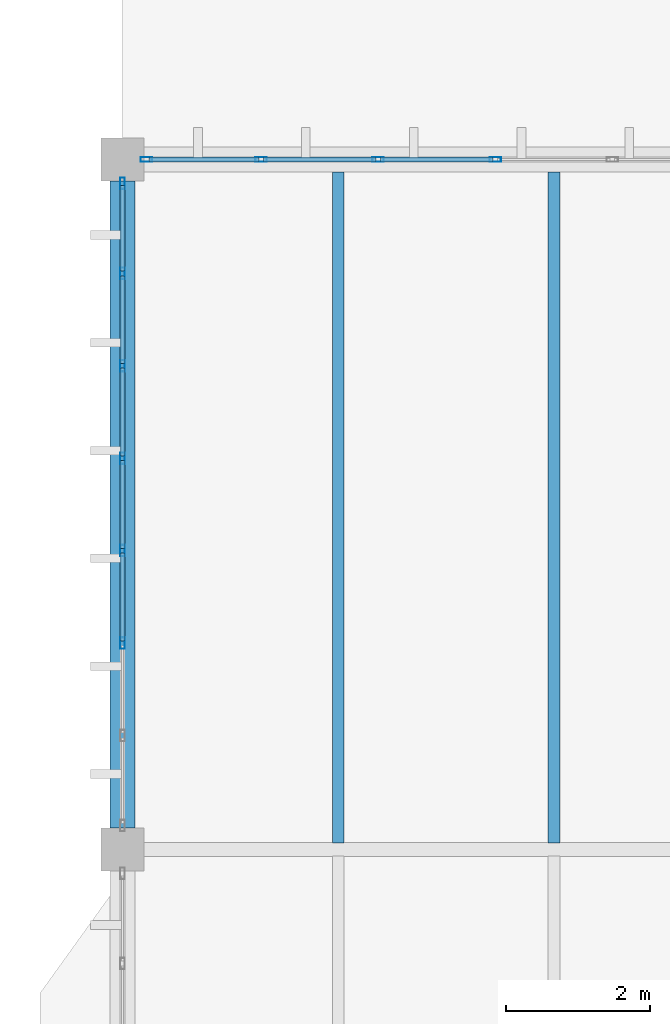
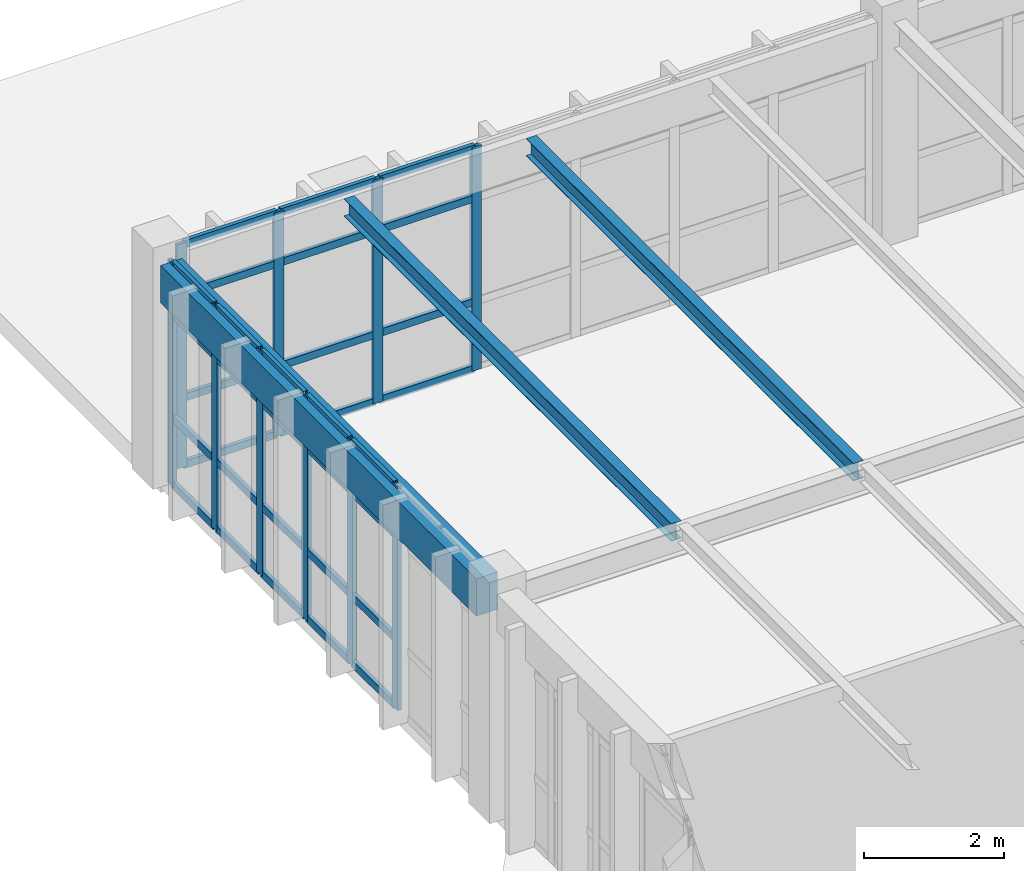
# One storey, part 47 of 83: 42 members, 3 beams, 2 elements without a shape of their own.
"""IFC4 building model written with IfcOpenShell, lengths in metres."""

import ifcopenshell
import ifcopenshell.guid

model = None  # the IFC model being written
_history = None  # IfcOwnerHistory: only IFC2X3 demands one
_inside = {}  # id of a spatial element -> (the spatial element, [elements in it])
_under = {}  # id of a project, library or spatial element -> (it, [spatial elements below it])
_declared = {}  # id of a project -> (the project, [libraries it declares])
_typed = {}  # id of a type object -> (the type object, [elements of that type])
_made_of = {}  # id of a material, layer set ... -> (it, [elements and type objects made of it])


def new_model(schema):
    """Start an empty IFC model of exactly this schema.

    Asked for "IFC4X3", IfcOpenShell would pick the latest addendum, in which some entities
    have other attributes; the version numbers below select the first issue.
    IFC2X3 requires an IfcOwnerHistory on every rooted entity: one is made here for all.
    """
    global model, _history
    if schema == "IFC4X3":
        model = ifcopenshell.file(schema_version=(4, 3, 0, 0))
    else:
        model = ifcopenshell.file(schema=schema)
    _inside.clear()
    _under.clear()
    _declared.clear()
    _typed.clear()
    _made_of.clear()
    _history = None
    if model.schema == "IFC2X3":
        org = make("IfcOrganization", Name="unknown")
        user = make(
            "IfcPersonAndOrganization",
            ThePerson=make("IfcPerson", FamilyName="unknown"),
            TheOrganization=org,
        )
        app = make(
            "IfcApplication",
            ApplicationDeveloper=org,
            Version="unknown",
            ApplicationFullName="unknown",
            ApplicationIdentifier="unknown",
        )
        _history = make(
            "IfcOwnerHistory",
            OwningUser=user,
            OwningApplication=app,
            ChangeAction="ADDED",
            CreationDate=0,
        )
    return model


def make(cls, **values):
    """One entity of the class cls with the attributes given. An attribute that is None is left unset."""
    return model.create_entity(
        cls, **{name: value for name, value in values.items() if value is not None}
    )


def rooted(cls, **values):
    """An entity with a GlobalId (a new one), such as an element, a storey or a relation."""
    return make(cls, GlobalId=ifcopenshell.guid.new(), OwnerHistory=_history, **values)


def si_unit(unit_type, name, prefix=None):
    """IfcSIUnit, for example si_unit("LENGTHUNIT", "METRE", prefix="MILLI")."""
    return make("IfcSIUnit", UnitType=unit_type, Prefix=prefix, Name=name)


def assignment(units):
    """IfcUnitAssignment: the units of a project."""
    return None if units is None else make("IfcUnitAssignment", Units=units)


def point(xyz):
    """IfcCartesianPoint."""
    return None if xyz is None else make("IfcCartesianPoint", Coordinates=xyz)


def direction(xyz):
    """IfcDirection."""
    return None if xyz is None else make("IfcDirection", DirectionRatios=xyz)


def frame(location, z_axis=None, x_axis=None):
    """IfcAxis2Placement3D, a coordinate frame: its origin and axes. An axis left out is left unset."""
    return make(
        "IfcAxis2Placement3D",
        Location=point(location),
        Axis=direction(z_axis),
        RefDirection=direction(x_axis),
    )


def frame_2d(location, x_axis=None):
    """IfcAxis2Placement2D, a coordinate frame in the plane: its origin and x axis."""
    return make(
        "IfcAxis2Placement2D", Location=point(location), RefDirection=direction(x_axis)
    )


def origin():
    """The frame at (0, 0, 0) with its axes left unset."""
    return frame((0.0, 0.0, 0.0))


def origin_2d():
    """The frame at (0, 0) in the plane with its x axis left unset."""
    return frame_2d((0.0, 0.0))


def place(relative_to, where):
    """IfcLocalPlacement: puts the frame where relative to a parent placement (None: the world)."""
    return make(
        "IfcLocalPlacement", PlacementRelTo=relative_to, RelativePlacement=where
    )


def context(
    kind, dimensions, precision=None, world=None, true_north=None, identifier=None
):
    """IfcGeometricRepresentationContext, for example the 3D "Model" context."""
    return make(
        "IfcGeometricRepresentationContext",
        ContextIdentifier=identifier,
        ContextType=kind,
        CoordinateSpaceDimension=dimensions,
        Precision=precision,
        WorldCoordinateSystem=world,
        TrueNorth=true_north,
    )


def subcontext(parent, identifier, kind, view, scale=None):
    """IfcGeometricRepresentationSubContext, for example "Body" below "Model"."""
    return make(
        "IfcGeometricRepresentationSubContext",
        ContextIdentifier=identifier,
        ContextType=kind,
        ParentContext=parent,
        TargetScale=scale,
        TargetView=view,
    )


def project(units=None, contexts=None):
    """IfcProject with its units and contexts."""
    return rooted(
        "IfcProject",
        Name="project",
        RepresentationContexts=contexts,
        UnitsInContext=assignment(units),
    )


def spatial(cls, under=None, at=None, **own):
    """A site, building, storey or space (cls), placed at a placement, below another one or the project."""
    s = rooted(cls, ObjectPlacement=at, **own)
    if under is not None:
        _under.setdefault(under.id(), (under, []))[1].append(s)
    return s


def profile(cls, at=None, kind="AREA", **sizes):
    """A parametric profile (cls). Its sizes go by their IFC names, for example OverallWidth=200.0."""
    return make(cls, ProfileType=kind, Position=at, **sizes)


def rectangle(**sizes):
    """IfcRectangleProfileDef."""
    return profile("IfcRectangleProfileDef", **sizes)


def hollow_rectangle(**sizes):
    """IfcRectangleHollowProfileDef."""
    return profile("IfcRectangleHollowProfileDef", **sizes)


def i_section(**sizes):
    """IfcIShapeProfileDef."""
    return profile("IfcIShapeProfileDef", **sizes)


def extrude(swept, where, along, depth):
    """IfcExtrudedAreaSolid: the profile swept, set in the frame where, extruded along a direction by depth."""
    return make(
        "IfcExtrudedAreaSolid",
        SweptArea=swept,
        Position=where,
        ExtrudedDirection=direction(along),
        Depth=depth,
    )


def shape(context_of_items, identifier, shape_type, items):
    """IfcShapeRepresentation: the items that make up one representation, for example the "Body"."""
    return make(
        "IfcShapeRepresentation",
        ContextOfItems=context_of_items,
        RepresentationIdentifier=identifier,
        RepresentationType=shape_type,
        Items=items,
    )


def material(Name=None, Category=None):
    """IfcMaterial."""
    return make("IfcMaterial", Name=Name, Category=Category)


def layer(
    of_material, thickness, ventilated=None, Name=None, Category=None, Priority=None
):
    """IfcMaterialLayer: one layer of a wall or slab, of a material (None: an air gap)."""
    return make(
        "IfcMaterialLayer",
        Material=of_material,
        LayerThickness=thickness,
        IsVentilated=ventilated,
        Name=Name,
        Category=Category,
        Priority=Priority,
    )


def layer_set(layers, Name=None):
    """IfcMaterialLayerSet."""
    return make("IfcMaterialLayerSet", MaterialLayers=layers, LayerSetName=Name)


def material_profile(
    of_material, cross_section, Name=None, Category=None, Priority=None
):
    """IfcMaterialProfile: a cross section and its material."""
    return make(
        "IfcMaterialProfile",
        Name=Name,
        Material=of_material,
        Profile=cross_section,
        Priority=Priority,
        Category=Category,
    )


def profile_set(profiles, Name=None, composite=None):
    """IfcMaterialProfileSet."""
    return make(
        "IfcMaterialProfileSet",
        Name=Name,
        MaterialProfiles=profiles,
        CompositeProfile=composite,
    )


def made_of(thing, what):
    """Note that an element or type object is made of a material, layer set ...; save() writes the relation."""
    if what is not None:
        _made_of.setdefault(what.id(), (what, []))[1].append(thing)
    return thing


def type_object(cls, material=None, **own):
    """A type object (cls), such as IfcWallType, which elements share."""
    return made_of(rooted(cls, **own), material)


def element(
    cls,
    number,
    at=None,
    inside=None,
    cuts=None,
    type_object=None,
    material=None,
    context=None,
    identifier="Body",
    shape_type=None,
    held_by="IfcProductDefinitionShape",
    body=None,
    shapes=None,
    **own,
):
    """One element of the class cls, such as IfcWall. Its Tag is "e" and its number.

    at: its placement. inside: the storey or other place that contains it. cuts: it is an
    opening in that element (IfcRelVoidsElement). A single representation is given by context,
    identifier, shape_type and body (its items); several are given by shapes. held_by: the class
    of the entity that holds the representations. save() writes the other relations.
    """
    e = rooted(cls, Tag="e%d" % number, ObjectPlacement=at, **own)
    if body is not None:
        shapes = [shape(context, identifier, shape_type, body)]
    if shapes is not None:
        e.Representation = make(held_by, Representations=shapes)
    if inside is not None:
        _inside.setdefault(inside.id(), (inside, []))[1].append(e)
    if cuts is not None:
        rooted(
            "IfcRelVoidsElement", RelatingBuildingElement=cuts, RelatedOpeningElement=e
        )
    if type_object is not None:
        _typed.setdefault(type_object.id(), (type_object, []))[1].append(e)
    return made_of(e, material)


def aggregate(whole, parts):
    """IfcRelAggregates: a whole, such as a stair, and the parts it consists of."""
    return rooted("IfcRelAggregates", RelatingObject=whole, RelatedObjects=parts)


def save(model, path):
    """Write the relations noted so far, then the file.

    IfcRelAggregates (storeys below a building ...), IfcRelContainedInSpatialStructure (elements
    in a storey), IfcRelDefinesByType, IfcRelAssociatesMaterial and IfcRelDeclares: one each for
    every whole, place, type object, material and project.
    """
    for whole, parts in _under.values():
        aggregate(whole, parts)
    for where, things in _inside.values():
        rooted(
            "IfcRelContainedInSpatialStructure",
            RelatedElements=things,
            RelatingStructure=where,
        )
    for kind, things in _typed.values():
        rooted("IfcRelDefinesByType", RelatedObjects=things, RelatingType=kind)
    for what, things in _made_of.values():
        rooted("IfcRelAssociatesMaterial", RelatedObjects=things, RelatingMaterial=what)
    for by, libraries in _declared.values():
        rooted("IfcRelDeclares", RelatingContext=by, RelatedDefinitions=libraries)
    model.write(path)


model = new_model("IFC4")

# Units and contexts
model_context = context("Model", 3, precision=1e-05, world=origin(), true_north=direction((0.0, 1.0)))
body_context = subcontext(model_context, "Body", "Model", "MODEL_VIEW")
ifc_project = project(units=[si_unit("LENGTHUNIT", "METRE"), si_unit("AREAUNIT", "SQUARE_METRE"), si_unit("VOLUMEUNIT", "CUBIC_METRE"), si_unit("PLANEANGLEUNIT", "RADIAN"), si_unit("MASSUNIT", "GRAM", prefix="KILO")], contexts=[model_context])

# Site, building, storey
site_placement = place(None, origin())
site = spatial("IfcSite", under=ifc_project, at=site_placement, CompositionType="ELEMENT")
building_placement = place(site_placement, origin())
building = spatial("IfcBuilding", under=site, at=building_placement, Name="Pandanus Reach Market Hall", CompositionType="ELEMENT")
storey_placement = place(building_placement, frame((0.0, 0.0, 10.199951171875)))
storey = spatial("IfcBuildingStorey", under=building, at=storey_placement, Name="L02", CompositionType="ELEMENT", Elevation=10.199951171875)

# Beam
ifc_material_1 = material(Name="Concrete N40 (40 MPa)", Category="concrete")
ifc_material_profile_1 = material_profile(ifc_material_1, rectangle(XDim=0.35009765625, YDim=0.64990234375, at=origin_2d()), Name="RC350x650", Category="LoadBearing")
ifc_profile_set_1 = profile_set([ifc_material_profile_1], Name="Concrete N40 (40 MPa)")
beam_type_1 = type_object("IfcBeamType", Name="BM-RC350-E", PredefinedType="SPANDREL", material=ifc_profile_set_1)
beam_placement = place(storey_placement, frame((144.0, 77.097900390625, 3.53515625), z_axis=(0.0, 1.0, 0.0), x_axis=(-1.0, 0.0, 0.0)))
element("IfcBeam", 1, at=beam_placement, inside=storey, type_object=beam_type_1, Name="Framing beam BM-RC350-E L02.467", PredefinedType="SPANDREL", context=body_context, shape_type="SweptSolid", body=[
    extrude(rectangle(XDim=0.35009765625, YDim=0.64990234375, at=origin_2d()), origin(), (0.0, 0.0, 1.0), 9.004150390625),
])

# Curtain wall, members
ifc_material_2 = material(Name="Bronze anodised aluminium and low-E glass", Category="aluminium")
ifc_layer_1 = layer(ifc_material_2, 0.159912109375, Name="CW-31")
ifc_layer_set_1 = layer_set([ifc_layer_1], Name="Bronze anodised aluminium and low-E glass")
curtain_wall_type_1 = type_object("IfcCurtainWallType", Name="CW-31", PredefinedType="NOTDEFINED", material=ifc_layer_set_1)
curtain_wall_1_placement = place(storey_placement, origin())
curtain_wall_1 = element("IfcCurtainWall", 2, at=curtain_wall_1_placement, inside=storey, type_object=curtain_wall_type_1, Name="Glazed curtain wall CW-31 CW-0102", PredefinedType="NOTDEFINED")
ifc_material_3 = material(Name="Bronze anodised aluminium", Category="aluminium")
ifc_material_profile_2 = material_profile(ifc_material_3, hollow_rectangle(XDim=0.06494140625, YDim=0.159912109375, WallThickness=0.00390625, at=origin_2d()), Name="ALU65x160", Category="LoadBearing")
ifc_profile_set_2 = profile_set([ifc_material_profile_2], Name="Bronze anodised aluminium")
member_type_1 = type_object("IfcMemberType", Name="CW-M1", PredefinedType="MULLION", material=ifc_profile_set_2)
member_1_placement = place(storey_placement, frame((144.33251953125, 86.39990234375, 0.0), z_axis=(0.0, 0.0, 1.0), x_axis=(0.0, 1.0, 0.0)))
member_1 = element("IfcMember", 3, at=member_1_placement, type_object=member_type_1, Name="CW-31 mullion 1", PredefinedType="MULLION", context=body_context, shape_type="SweptSolid", body=[
    extrude(hollow_rectangle(XDim=0.06494140625, YDim=0.159912109375, WallThickness=0.00390625, at=origin_2d()), origin(), (0.0, 0.0, 1.0), 3.900146484375),
])
member_2_placement = place(storey_placement, frame((145.928466796875, 86.39990234375, 0.0), z_axis=(0.0, 0.0, 1.0), x_axis=(0.0, 1.0, 0.0)))
member_2 = element("IfcMember", 4, at=member_2_placement, type_object=member_type_1, Name="CW-31 mullion 2", PredefinedType="MULLION", context=body_context, shape_type="SweptSolid", body=[
    extrude(hollow_rectangle(XDim=0.06494140625, YDim=0.159912109375, WallThickness=0.00390625, at=origin_2d()), origin(), (0.0, 0.0, 1.0), 3.900146484375),
])
member_3_placement = place(storey_placement, frame((147.55712890625, 86.39990234375, 0.0), z_axis=(0.0, 0.0, 1.0), x_axis=(0.0, 1.0, 0.0)))
member_3 = element("IfcMember", 5, at=member_3_placement, type_object=member_type_1, Name="CW-31 mullion 3", PredefinedType="MULLION", context=body_context, shape_type="SweptSolid", body=[
    extrude(hollow_rectangle(XDim=0.06494140625, YDim=0.159912109375, WallThickness=0.00390625, at=origin_2d()), origin(), (0.0, 0.0, 1.0), 3.900146484375),
])
member_4_placement = place(storey_placement, frame((149.185791015625, 86.39990234375, 0.0), z_axis=(0.0, 0.0, 1.0), x_axis=(0.0, 1.0, 0.0)))
member_4 = element("IfcMember", 6, at=member_4_placement, type_object=member_type_1, Name="CW-31 mullion 4", PredefinedType="MULLION", context=body_context, shape_type="SweptSolid", body=[
    extrude(hollow_rectangle(XDim=0.06494140625, YDim=0.159912109375, WallThickness=0.00390625, at=origin_2d()), origin(), (0.0, 0.0, 1.0), 3.900146484375),
])

ifc_layer_2 = layer(ifc_material_2, 0.159912109375, Name="CW-33")
ifc_layer_set_2 = layer_set([ifc_layer_2], Name="Bronze anodised aluminium and low-E glass")
curtain_wall_type_2 = type_object("IfcCurtainWallType", Name="CW-33", PredefinedType="NOTDEFINED", material=ifc_layer_set_2)
curtain_wall_2_placement = place(storey_placement, origin())
curtain_wall_2 = element("IfcCurtainWall", 7, at=curtain_wall_2_placement, inside=storey, type_object=curtain_wall_type_2, Name="Glazed curtain wall CW-33 CW-0115", PredefinedType="NOTDEFINED")
member_5_placement = place(storey_placement, frame((144.0, 79.67138671875, 0.0), z_axis=(0.0, 0.0, 1.0), x_axis=(-1.0, 0.0, 0.0)))
member_5 = element("IfcMember", 8, at=member_5_placement, type_object=member_type_1, Name="CW-33 mullion 3", PredefinedType="MULLION", context=body_context, shape_type="SweptSolid", body=[
    extrude(hollow_rectangle(XDim=0.06494140625, YDim=0.159912109375, WallThickness=0.00390625, at=origin_2d()), origin(), (0.0, 0.0, 1.0), 3.900146484375),
])
member_6_placement = place(storey_placement, frame((144.0, 80.95703125, 0.0), z_axis=(0.0, 0.0, 1.0), x_axis=(-1.0, 0.0, 0.0)))
member_6 = element("IfcMember", 9, at=member_6_placement, type_object=member_type_1, Name="CW-33 mullion 4", PredefinedType="MULLION", context=body_context, shape_type="SweptSolid", body=[
    extrude(hollow_rectangle(XDim=0.06494140625, YDim=0.159912109375, WallThickness=0.00390625, at=origin_2d()), origin(), (0.0, 0.0, 1.0), 3.900146484375),
])
member_7_placement = place(storey_placement, frame((144.0, 82.242919921875, 0.0), z_axis=(0.0, 0.0, 1.0), x_axis=(-1.0, 0.0, 0.0)))
member_7 = element("IfcMember", 10, at=member_7_placement, type_object=member_type_1, Name="CW-33 mullion 5", PredefinedType="MULLION", context=body_context, shape_type="SweptSolid", body=[
    extrude(hollow_rectangle(XDim=0.06494140625, YDim=0.159912109375, WallThickness=0.00390625, at=origin_2d()), origin(), (0.0, 0.0, 1.0), 3.900146484375),
])
member_8_placement = place(storey_placement, frame((144.0, 83.528564453125, 0.0), z_axis=(0.0, 0.0, 1.0), x_axis=(-1.0, 0.0, 0.0)))
member_8 = element("IfcMember", 11, at=member_8_placement, type_object=member_type_1, Name="CW-33 mullion 6", PredefinedType="MULLION", context=body_context, shape_type="SweptSolid", body=[
    extrude(hollow_rectangle(XDim=0.06494140625, YDim=0.159912109375, WallThickness=0.00390625, at=origin_2d()), origin(), (0.0, 0.0, 1.0), 3.900146484375),
])
member_9_placement = place(storey_placement, frame((144.0, 84.814208984375, 0.0), z_axis=(0.0, 0.0, 1.0), x_axis=(-1.0, 0.0, 0.0)))
member_9 = element("IfcMember", 12, at=member_9_placement, type_object=member_type_1, Name="CW-33 mullion 7", PredefinedType="MULLION", context=body_context, shape_type="SweptSolid", body=[
    extrude(hollow_rectangle(XDim=0.06494140625, YDim=0.159912109375, WallThickness=0.00390625, at=origin_2d()), origin(), (0.0, 0.0, 1.0), 3.900146484375),
])
member_10_placement = place(storey_placement, frame((144.0, 86.0673828125, 0.0), z_axis=(0.0, 0.0, 1.0), x_axis=(-1.0, 0.0, 0.0)))
member_10 = element("IfcMember", 13, at=member_10_placement, type_object=member_type_1, Name="CW-33 mullion 8", PredefinedType="MULLION", context=body_context, shape_type="SweptSolid", body=[
    extrude(hollow_rectangle(XDim=0.06494140625, YDim=0.159912109375, WallThickness=0.00390625, at=origin_2d()), origin(), (0.0, 0.0, 1.0), 3.900146484375),
])

# Member
ifc_material_profile_3 = material_profile(ifc_material_3, hollow_rectangle(XDim=0.06494140625, YDim=0.1298828125, WallThickness=0.00390625, at=origin_2d()), Name="ALU65x130", Category="LoadBearing")
ifc_profile_set_3 = profile_set([ifc_material_profile_3], Name="Bronze anodised aluminium")
member_type_2 = type_object("IfcMemberType", Name="CW-T1", PredefinedType="USERDEFINED", material=ifc_profile_set_3)
member_11_placement = place(storey_placement, frame((144.364990234375, 86.39990234375, 0.032470703125), z_axis=(1.0, 0.0, 0.0), x_axis=(0.0, 1.0, 0.0)))
member_11 = element("IfcMember", 14, at=member_11_placement, type_object=member_type_2, Name="CW-31 transom 1.1", ObjectType="TRANSOM", PredefinedType="USERDEFINED", context=body_context, shape_type="SweptSolid", body=[
    extrude(hollow_rectangle(XDim=0.06494140625, YDim=0.1298828125, WallThickness=0.00390625, at=origin_2d()), origin(), (0.0, 0.0, 1.0), 1.531005859375),
])

member_12_placement = place(storey_placement, frame((144.364990234375, 86.39990234375, 1.199951171875), z_axis=(1.0, 0.0, 0.0), x_axis=(0.0, 1.0, 0.0)))
member_12 = element("IfcMember", 15, at=member_12_placement, type_object=member_type_2, Name="CW-31 transom 1.2", ObjectType="TRANSOM", PredefinedType="USERDEFINED", context=body_context, shape_type="SweptSolid", body=[
    extrude(hollow_rectangle(XDim=0.06494140625, YDim=0.1298828125, WallThickness=0.00390625, at=origin_2d()), origin(), (0.0, 0.0, 1.0), 1.531005859375),
])

member_13_placement = place(storey_placement, frame((144.364990234375, 86.39990234375, 3.0), z_axis=(1.0, 0.0, 0.0), x_axis=(0.0, 1.0, 0.0)))
member_13 = element("IfcMember", 16, at=member_13_placement, type_object=member_type_2, Name="CW-31 transom 1.3", ObjectType="TRANSOM", PredefinedType="USERDEFINED", context=body_context, shape_type="SweptSolid", body=[
    extrude(hollow_rectangle(XDim=0.06494140625, YDim=0.1298828125, WallThickness=0.00390625, at=origin_2d()), origin(), (0.0, 0.0, 1.0), 1.531005859375),
])

member_14_placement = place(storey_placement, frame((144.364990234375, 86.39990234375, 3.867431640625), z_axis=(1.0, 0.0, 0.0), x_axis=(0.0, 1.0, 0.0)))
member_14 = element("IfcMember", 17, at=member_14_placement, type_object=member_type_2, Name="CW-31 transom 1.4", ObjectType="TRANSOM", PredefinedType="USERDEFINED", context=body_context, shape_type="SweptSolid", body=[
    extrude(hollow_rectangle(XDim=0.06494140625, YDim=0.1298828125, WallThickness=0.00390625, at=origin_2d()), origin(), (0.0, 0.0, 1.0), 1.531005859375),
])

member_15_placement = place(storey_placement, frame((145.961181640625, 86.39990234375, 0.032470703125), z_axis=(1.0, 0.0, 0.0), x_axis=(0.0, 1.0, 0.0)))
member_15 = element("IfcMember", 18, at=member_15_placement, type_object=member_type_2, Name="CW-31 transom 2.1", ObjectType="TRANSOM", PredefinedType="USERDEFINED", context=body_context, shape_type="SweptSolid", body=[
    extrude(hollow_rectangle(XDim=0.06494140625, YDim=0.1298828125, WallThickness=0.00390625, at=origin_2d()), origin(), (0.0, 0.0, 1.0), 1.5634765625),
])

member_16_placement = place(storey_placement, frame((145.961181640625, 86.39990234375, 1.199951171875), z_axis=(1.0, 0.0, 0.0), x_axis=(0.0, 1.0, 0.0)))
member_16 = element("IfcMember", 19, at=member_16_placement, type_object=member_type_2, Name="CW-31 transom 2.2", ObjectType="TRANSOM", PredefinedType="USERDEFINED", context=body_context, shape_type="SweptSolid", body=[
    extrude(hollow_rectangle(XDim=0.06494140625, YDim=0.1298828125, WallThickness=0.00390625, at=origin_2d()), origin(), (0.0, 0.0, 1.0), 1.5634765625),
])

member_17_placement = place(storey_placement, frame((145.961181640625, 86.39990234375, 3.0), z_axis=(1.0, 0.0, 0.0), x_axis=(0.0, 1.0, 0.0)))
member_17 = element("IfcMember", 20, at=member_17_placement, type_object=member_type_2, Name="CW-31 transom 2.3", ObjectType="TRANSOM", PredefinedType="USERDEFINED", context=body_context, shape_type="SweptSolid", body=[
    extrude(hollow_rectangle(XDim=0.06494140625, YDim=0.1298828125, WallThickness=0.00390625, at=origin_2d()), origin(), (0.0, 0.0, 1.0), 1.5634765625),
])

member_18_placement = place(storey_placement, frame((145.961181640625, 86.39990234375, 3.867431640625), z_axis=(1.0, 0.0, 0.0), x_axis=(0.0, 1.0, 0.0)))
member_18 = element("IfcMember", 21, at=member_18_placement, type_object=member_type_2, Name="CW-31 transom 2.4", ObjectType="TRANSOM", PredefinedType="USERDEFINED", context=body_context, shape_type="SweptSolid", body=[
    extrude(hollow_rectangle(XDim=0.06494140625, YDim=0.1298828125, WallThickness=0.00390625, at=origin_2d()), origin(), (0.0, 0.0, 1.0), 1.5634765625),
])

member_19_placement = place(storey_placement, frame((147.589599609375, 86.39990234375, 0.032470703125), z_axis=(1.0, 0.0, 0.0), x_axis=(0.0, 1.0, 0.0)))
member_19 = element("IfcMember", 22, at=member_19_placement, type_object=member_type_2, Name="CW-31 transom 3.1", ObjectType="TRANSOM", PredefinedType="USERDEFINED", context=body_context, shape_type="SweptSolid", body=[
    extrude(hollow_rectangle(XDim=0.06494140625, YDim=0.1298828125, WallThickness=0.00390625, at=origin_2d()), origin(), (0.0, 0.0, 1.0), 1.563720703125),
])

member_20_placement = place(storey_placement, frame((147.589599609375, 86.39990234375, 1.199951171875), z_axis=(1.0, 0.0, 0.0), x_axis=(0.0, 1.0, 0.0)))
member_20 = element("IfcMember", 23, at=member_20_placement, type_object=member_type_2, Name="CW-31 transom 3.2", ObjectType="TRANSOM", PredefinedType="USERDEFINED", context=body_context, shape_type="SweptSolid", body=[
    extrude(hollow_rectangle(XDim=0.06494140625, YDim=0.1298828125, WallThickness=0.00390625, at=origin_2d()), origin(), (0.0, 0.0, 1.0), 1.563720703125),
])

member_21_placement = place(storey_placement, frame((147.589599609375, 86.39990234375, 3.0), z_axis=(1.0, 0.0, 0.0), x_axis=(0.0, 1.0, 0.0)))
member_21 = element("IfcMember", 24, at=member_21_placement, type_object=member_type_2, Name="CW-31 transom 3.3", ObjectType="TRANSOM", PredefinedType="USERDEFINED", context=body_context, shape_type="SweptSolid", body=[
    extrude(hollow_rectangle(XDim=0.06494140625, YDim=0.1298828125, WallThickness=0.00390625, at=origin_2d()), origin(), (0.0, 0.0, 1.0), 1.563720703125),
])

member_22_placement = place(storey_placement, frame((147.589599609375, 86.39990234375, 3.867431640625), z_axis=(1.0, 0.0, 0.0), x_axis=(0.0, 1.0, 0.0)))
member_22 = element("IfcMember", 25, at=member_22_placement, type_object=member_type_2, Name="CW-31 transom 3.4", ObjectType="TRANSOM", PredefinedType="USERDEFINED", context=body_context, shape_type="SweptSolid", body=[
    extrude(hollow_rectangle(XDim=0.06494140625, YDim=0.1298828125, WallThickness=0.00390625, at=origin_2d()), origin(), (0.0, 0.0, 1.0), 1.563720703125),
])

aggregate(curtain_wall_1, [member_1, member_2, member_3, member_4, member_11, member_12, member_13, member_14, member_15, member_16, member_17, member_18, member_19, member_20, member_21, member_22])

member_23_placement = place(storey_placement, frame((144.0, 79.703857421875, 0.032470703125), z_axis=(0.0, 1.0, 0.0), x_axis=(-1.0, 0.0, 0.0)))
member_23 = element("IfcMember", 26, at=member_23_placement, type_object=member_type_2, Name="CW-33 transom 3.1", ObjectType="TRANSOM", PredefinedType="USERDEFINED", context=body_context, shape_type="SweptSolid", body=[
    extrude(hollow_rectangle(XDim=0.06494140625, YDim=0.1298828125, WallThickness=0.00390625, at=origin_2d()), origin(), (0.0, 0.0, 1.0), 1.220703125),
])

member_24_placement = place(storey_placement, frame((144.0, 79.703857421875, 1.199951171875), z_axis=(0.0, 1.0, 0.0), x_axis=(-1.0, 0.0, 0.0)))
member_24 = element("IfcMember", 27, at=member_24_placement, type_object=member_type_2, Name="CW-33 transom 3.2", ObjectType="TRANSOM", PredefinedType="USERDEFINED", context=body_context, shape_type="SweptSolid", body=[
    extrude(hollow_rectangle(XDim=0.06494140625, YDim=0.1298828125, WallThickness=0.00390625, at=origin_2d()), origin(), (0.0, 0.0, 1.0), 1.220703125),
])

member_25_placement = place(storey_placement, frame((144.0, 79.703857421875, 3.0), z_axis=(0.0, 1.0, 0.0), x_axis=(-1.0, 0.0, 0.0)))
member_25 = element("IfcMember", 28, at=member_25_placement, type_object=member_type_2, Name="CW-33 transom 3.3", ObjectType="TRANSOM", PredefinedType="USERDEFINED", context=body_context, shape_type="SweptSolid", body=[
    extrude(hollow_rectangle(XDim=0.06494140625, YDim=0.1298828125, WallThickness=0.00390625, at=origin_2d()), origin(), (0.0, 0.0, 1.0), 1.220703125),
])

member_26_placement = place(storey_placement, frame((144.0, 79.703857421875, 3.867431640625), z_axis=(0.0, 1.0, 0.0), x_axis=(-1.0, 0.0, 0.0)))
member_26 = element("IfcMember", 29, at=member_26_placement, type_object=member_type_2, Name="CW-33 transom 3.4", ObjectType="TRANSOM", PredefinedType="USERDEFINED", context=body_context, shape_type="SweptSolid", body=[
    extrude(hollow_rectangle(XDim=0.06494140625, YDim=0.1298828125, WallThickness=0.00390625, at=origin_2d()), origin(), (0.0, 0.0, 1.0), 1.220703125),
])

member_27_placement = place(storey_placement, frame((144.0, 80.98974609375, 0.032470703125), z_axis=(0.0, 1.0, 0.0), x_axis=(-1.0, 0.0, 0.0)))
member_27 = element("IfcMember", 30, at=member_27_placement, type_object=member_type_2, Name="CW-33 transom 4.1", ObjectType="TRANSOM", PredefinedType="USERDEFINED", context=body_context, shape_type="SweptSolid", body=[
    extrude(hollow_rectangle(XDim=0.06494140625, YDim=0.1298828125, WallThickness=0.00390625, at=origin_2d()), origin(), (0.0, 0.0, 1.0), 1.220703125),
])

member_28_placement = place(storey_placement, frame((144.0, 80.98974609375, 1.199951171875), z_axis=(0.0, 1.0, 0.0), x_axis=(-1.0, 0.0, 0.0)))
member_28 = element("IfcMember", 31, at=member_28_placement, type_object=member_type_2, Name="CW-33 transom 4.2", ObjectType="TRANSOM", PredefinedType="USERDEFINED", context=body_context, shape_type="SweptSolid", body=[
    extrude(hollow_rectangle(XDim=0.06494140625, YDim=0.1298828125, WallThickness=0.00390625, at=origin_2d()), origin(), (0.0, 0.0, 1.0), 1.220703125),
])

member_29_placement = place(storey_placement, frame((144.0, 80.98974609375, 3.0), z_axis=(0.0, 1.0, 0.0), x_axis=(-1.0, 0.0, 0.0)))
member_29 = element("IfcMember", 32, at=member_29_placement, type_object=member_type_2, Name="CW-33 transom 4.3", ObjectType="TRANSOM", PredefinedType="USERDEFINED", context=body_context, shape_type="SweptSolid", body=[
    extrude(hollow_rectangle(XDim=0.06494140625, YDim=0.1298828125, WallThickness=0.00390625, at=origin_2d()), origin(), (0.0, 0.0, 1.0), 1.220703125),
])

member_30_placement = place(storey_placement, frame((144.0, 80.98974609375, 3.867431640625), z_axis=(0.0, 1.0, 0.0), x_axis=(-1.0, 0.0, 0.0)))
member_30 = element("IfcMember", 33, at=member_30_placement, type_object=member_type_2, Name="CW-33 transom 4.4", ObjectType="TRANSOM", PredefinedType="USERDEFINED", context=body_context, shape_type="SweptSolid", body=[
    extrude(hollow_rectangle(XDim=0.06494140625, YDim=0.1298828125, WallThickness=0.00390625, at=origin_2d()), origin(), (0.0, 0.0, 1.0), 1.220703125),
])

member_31_placement = place(storey_placement, frame((144.0, 82.275390625, 0.032470703125), z_axis=(0.0, 1.0, 0.0), x_axis=(-1.0, 0.0, 0.0)))
member_31 = element("IfcMember", 34, at=member_31_placement, type_object=member_type_2, Name="CW-33 transom 5.1", ObjectType="TRANSOM", PredefinedType="USERDEFINED", context=body_context, shape_type="SweptSolid", body=[
    extrude(hollow_rectangle(XDim=0.06494140625, YDim=0.1298828125, WallThickness=0.00390625, at=origin_2d()), origin(), (0.0, 0.0, 1.0), 1.220703125),
])

member_32_placement = place(storey_placement, frame((144.0, 82.275390625, 1.199951171875), z_axis=(0.0, 1.0, 0.0), x_axis=(-1.0, 0.0, 0.0)))
member_32 = element("IfcMember", 35, at=member_32_placement, type_object=member_type_2, Name="CW-33 transom 5.2", ObjectType="TRANSOM", PredefinedType="USERDEFINED", context=body_context, shape_type="SweptSolid", body=[
    extrude(hollow_rectangle(XDim=0.06494140625, YDim=0.1298828125, WallThickness=0.00390625, at=origin_2d()), origin(), (0.0, 0.0, 1.0), 1.220703125),
])

member_33_placement = place(storey_placement, frame((144.0, 82.275390625, 3.0), z_axis=(0.0, 1.0, 0.0), x_axis=(-1.0, 0.0, 0.0)))
member_33 = element("IfcMember", 36, at=member_33_placement, type_object=member_type_2, Name="CW-33 transom 5.3", ObjectType="TRANSOM", PredefinedType="USERDEFINED", context=body_context, shape_type="SweptSolid", body=[
    extrude(hollow_rectangle(XDim=0.06494140625, YDim=0.1298828125, WallThickness=0.00390625, at=origin_2d()), origin(), (0.0, 0.0, 1.0), 1.220703125),
])

member_34_placement = place(storey_placement, frame((144.0, 82.275390625, 3.867431640625), z_axis=(0.0, 1.0, 0.0), x_axis=(-1.0, 0.0, 0.0)))
member_34 = element("IfcMember", 37, at=member_34_placement, type_object=member_type_2, Name="CW-33 transom 5.4", ObjectType="TRANSOM", PredefinedType="USERDEFINED", context=body_context, shape_type="SweptSolid", body=[
    extrude(hollow_rectangle(XDim=0.06494140625, YDim=0.1298828125, WallThickness=0.00390625, at=origin_2d()), origin(), (0.0, 0.0, 1.0), 1.220703125),
])

member_35_placement = place(storey_placement, frame((144.0, 83.56103515625, 0.032470703125), z_axis=(0.0, 1.0, 0.0), x_axis=(-1.0, 0.0, 0.0)))
member_35 = element("IfcMember", 38, at=member_35_placement, type_object=member_type_2, Name="CW-33 transom 6.1", ObjectType="TRANSOM", PredefinedType="USERDEFINED", context=body_context, shape_type="SweptSolid", body=[
    extrude(hollow_rectangle(XDim=0.06494140625, YDim=0.1298828125, WallThickness=0.00390625, at=origin_2d()), origin(), (0.0, 0.0, 1.0), 1.220703125),
])

member_36_placement = place(storey_placement, frame((144.0, 83.56103515625, 1.199951171875), z_axis=(0.0, 1.0, 0.0), x_axis=(-1.0, 0.0, 0.0)))
member_36 = element("IfcMember", 39, at=member_36_placement, type_object=member_type_2, Name="CW-33 transom 6.2", ObjectType="TRANSOM", PredefinedType="USERDEFINED", context=body_context, shape_type="SweptSolid", body=[
    extrude(hollow_rectangle(XDim=0.06494140625, YDim=0.1298828125, WallThickness=0.00390625, at=origin_2d()), origin(), (0.0, 0.0, 1.0), 1.220703125),
])

member_37_placement = place(storey_placement, frame((144.0, 83.56103515625, 3.0), z_axis=(0.0, 1.0, 0.0), x_axis=(-1.0, 0.0, 0.0)))
member_37 = element("IfcMember", 40, at=member_37_placement, type_object=member_type_2, Name="CW-33 transom 6.3", ObjectType="TRANSOM", PredefinedType="USERDEFINED", context=body_context, shape_type="SweptSolid", body=[
    extrude(hollow_rectangle(XDim=0.06494140625, YDim=0.1298828125, WallThickness=0.00390625, at=origin_2d()), origin(), (0.0, 0.0, 1.0), 1.220703125),
])

member_38_placement = place(storey_placement, frame((144.0, 83.56103515625, 3.867431640625), z_axis=(0.0, 1.0, 0.0), x_axis=(-1.0, 0.0, 0.0)))
member_38 = element("IfcMember", 41, at=member_38_placement, type_object=member_type_2, Name="CW-33 transom 6.4", ObjectType="TRANSOM", PredefinedType="USERDEFINED", context=body_context, shape_type="SweptSolid", body=[
    extrude(hollow_rectangle(XDim=0.06494140625, YDim=0.1298828125, WallThickness=0.00390625, at=origin_2d()), origin(), (0.0, 0.0, 1.0), 1.220703125),
])

member_39_placement = place(storey_placement, frame((144.0, 84.8466796875, 0.032470703125), z_axis=(0.0, 1.0, 0.0), x_axis=(-1.0, 0.0, 0.0)))
member_39 = element("IfcMember", 42, at=member_39_placement, type_object=member_type_2, Name="CW-33 transom 7.1", ObjectType="TRANSOM", PredefinedType="USERDEFINED", context=body_context, shape_type="SweptSolid", body=[
    extrude(hollow_rectangle(XDim=0.06494140625, YDim=0.1298828125, WallThickness=0.00390625, at=origin_2d()), origin(), (0.0, 0.0, 1.0), 1.188232421875),
])

member_40_placement = place(storey_placement, frame((144.0, 84.8466796875, 1.199951171875), z_axis=(0.0, 1.0, 0.0), x_axis=(-1.0, 0.0, 0.0)))
member_40 = element("IfcMember", 43, at=member_40_placement, type_object=member_type_2, Name="CW-33 transom 7.2", ObjectType="TRANSOM", PredefinedType="USERDEFINED", context=body_context, shape_type="SweptSolid", body=[
    extrude(hollow_rectangle(XDim=0.06494140625, YDim=0.1298828125, WallThickness=0.00390625, at=origin_2d()), origin(), (0.0, 0.0, 1.0), 1.188232421875),
])

member_41_placement = place(storey_placement, frame((144.0, 84.8466796875, 3.0), z_axis=(0.0, 1.0, 0.0), x_axis=(-1.0, 0.0, 0.0)))
member_41 = element("IfcMember", 44, at=member_41_placement, type_object=member_type_2, Name="CW-33 transom 7.3", ObjectType="TRANSOM", PredefinedType="USERDEFINED", context=body_context, shape_type="SweptSolid", body=[
    extrude(hollow_rectangle(XDim=0.06494140625, YDim=0.1298828125, WallThickness=0.00390625, at=origin_2d()), origin(), (0.0, 0.0, 1.0), 1.188232421875),
])

member_42_placement = place(storey_placement, frame((144.0, 84.8466796875, 3.867431640625), z_axis=(0.0, 1.0, 0.0), x_axis=(-1.0, 0.0, 0.0)))
member_42 = element("IfcMember", 45, at=member_42_placement, type_object=member_type_2, Name="CW-33 transom 7.4", ObjectType="TRANSOM", PredefinedType="USERDEFINED", context=body_context, shape_type="SweptSolid", body=[
    extrude(hollow_rectangle(XDim=0.06494140625, YDim=0.1298828125, WallThickness=0.00390625, at=origin_2d()), origin(), (0.0, 0.0, 1.0), 1.188232421875),
])

aggregate(curtain_wall_2, [member_5, member_6, member_7, member_8, member_9, member_10, member_23, member_24, member_25, member_26, member_27, member_28, member_29, member_30, member_31, member_32, member_33, member_34, member_35, member_36, member_37, member_38, member_39, member_40, member_41, member_42])

# Beams
ifc_material_4 = material(Name="Steel Grade 350 (350 MPa)", Category="steel")
ifc_material_profile_4 = material_profile(ifc_material_4, i_section(OverallWidth=0.1650390625, OverallDepth=0.303955078125, WebThickness=0.006103515625, FlangeThickness=0.01025390625, at=origin_2d()), Name="310UB40.4", Category="LoadBearing")
ifc_profile_set_4 = profile_set([ifc_material_profile_4], Name="Steel Grade 350 (350 MPa)")
beam_type_2 = type_object("IfcBeamType", Name="JS-UB310-I", PredefinedType="JOIST", material=ifc_profile_set_4)
for number, where, z_axis, x_axis, name in (
    (46, (147.0, 76.89306640625, 3.707763671875), (0.0, 1.0, 0.0), (-1.0, 0.0, 0.0), "Secondary joist JS-UB310-I L02.504"),
    (47, (150.0, 76.89306640625, 3.707763671875), (0.0, 1.0, 0.0), (-1.0, 0.0, 0.0), "Secondary joist JS-UB310-I L02.505"),
):
    element("IfcBeam", number, at=place(storey_placement, frame(where, z_axis=z_axis, x_axis=x_axis)), inside=storey, type_object=beam_type_2, Name=name, PredefinedType="JOIST", context=body_context, shape_type="SweptSolid", body=[
        extrude(i_section(OverallWidth=0.1650390625, OverallDepth=0.303955078125, WebThickness=0.006103515625, FlangeThickness=0.01025390625, at=origin_2d()), origin(), (0.0, 0.0, 1.0), 9.333984375),
    ])

save(model, "model.ifc")
